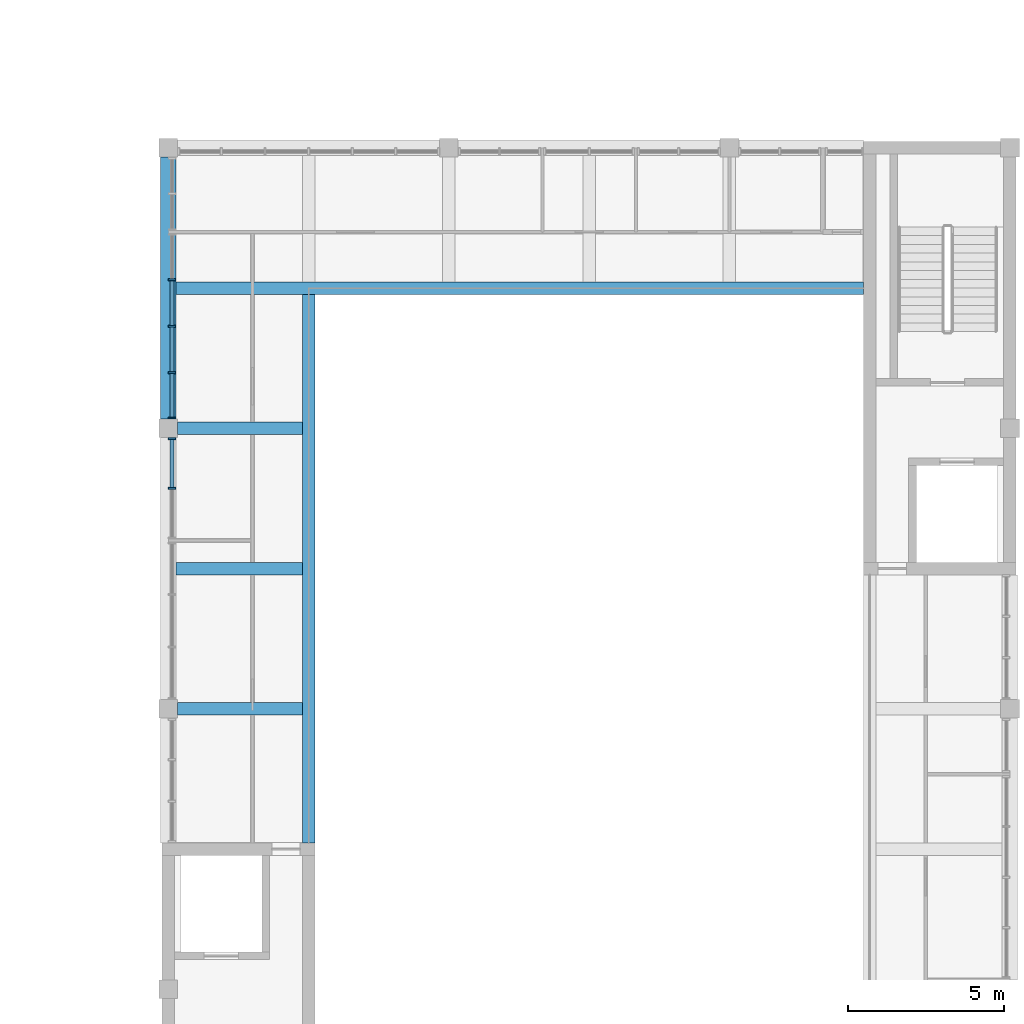
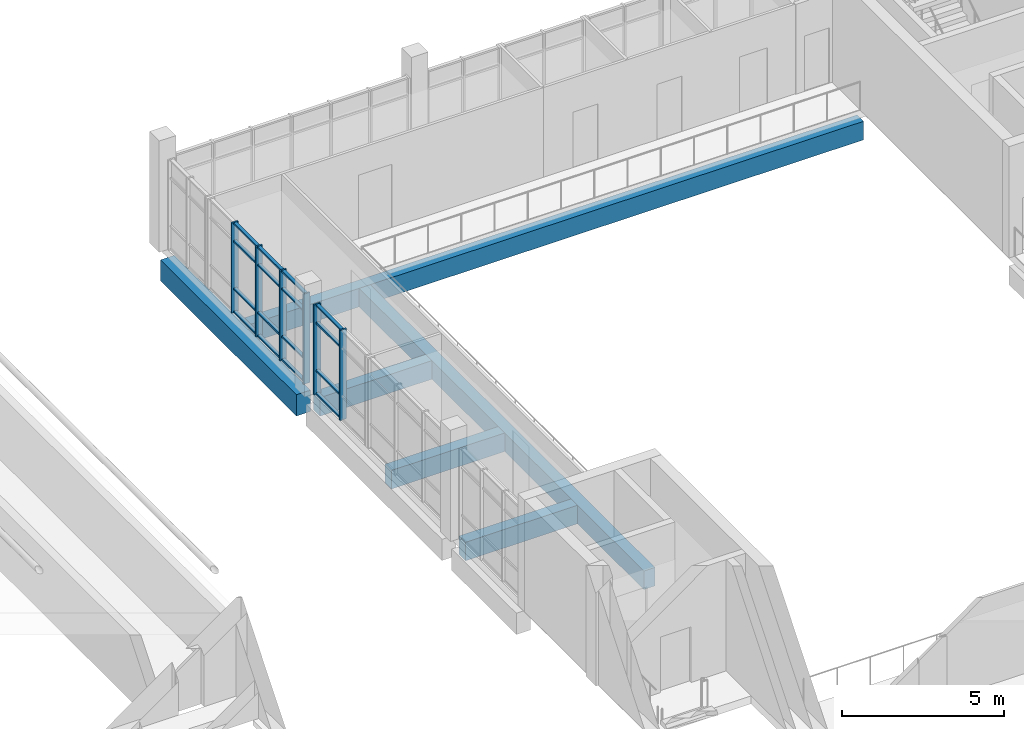
# One storey, part 5 of 92: 22 members, 6 beams, 2 elements without a shape of their own.
"""IFC4 building model written with IfcOpenShell, lengths in metres."""

from ifc_helpers import new_model, si_unit, direction, frame, origin, origin_2d, place, context, subcontext, project, spatial, rectangle, extrude, material, material_profile, profile_set, type_object, element, aggregate, save


model = new_model("IFC4")

# Units and contexts
model_context = context("Model", 3, precision=1e-05, world=origin(), true_north=direction((0.0, 1.0)))
body_context = subcontext(model_context, "Body", "Model", "MODEL_VIEW")
ifc_project = project(units=[si_unit("LENGTHUNIT", "METRE"), si_unit("AREAUNIT", "SQUARE_METRE"), si_unit("VOLUMEUNIT", "CUBIC_METRE"), si_unit("PLANEANGLEUNIT", "RADIAN"), si_unit("MASSUNIT", "GRAM", prefix="KILO")], contexts=[model_context])

# Site, building, storey
site_placement = place(None, origin())
site = spatial("IfcSite", under=ifc_project, at=site_placement, CompositionType="ELEMENT")
building_placement = place(site_placement, origin())
building = spatial("IfcBuilding", under=site, at=building_placement, Name="Merrow Basin Faculty of Sciences", CompositionType="ELEMENT")
storey_placement = place(building_placement, frame((0.0, 0.0, 4.5)))
storey = spatial("IfcBuildingStorey", under=building, at=storey_placement, Name="L01", CompositionType="ELEMENT", Elevation=4.5)

# Curtain wall, members
ifc_material_1 = material(Name="Aluminium alloy 6063", Category="aluminium")
curtain_wall_type = type_object("IfcCurtainWallType", Name="Atrium unitised curtain wall 240", PredefinedType="NOTDEFINED", material=ifc_material_1)
curtain_wall_1_placement = place(storey_placement, origin())
curtain_wall_1 = element("IfcCurtainWall", 1, at=curtain_wall_1_placement, inside=storey, type_object=curtain_wall_type, Name="W curtain wall L01 3", PredefinedType="NOTDEFINED")
ifc_material_2 = material(Name="Aluminium alloy 6063", Category="aluminium")
ifc_material_profile_1 = material_profile(ifc_material_2, rectangle(XDim=0.239990234375, YDim=0.06005859375, at=origin_2d()))
ifc_profile_set_1 = profile_set([ifc_material_profile_1], Name="Aluminium alloy 6063")
member_type_1 = type_object("IfcMemberType", Name="Aluminium mullion 60x240", PredefinedType="MULLION", material=ifc_profile_set_1)
member_1_placement = place(storey_placement, frame((45.1201171875, 25.074951171875, 0.0), z_axis=(0.0, 0.0, 1.0), x_axis=(-1.0, 0.0, 0.0)))
member_1 = element("IfcMember", 2, at=member_1_placement, type_object=member_type_1, Name="CW5 mullion 2", PredefinedType="MULLION", context=body_context, shape_type="SweptSolid", body=[
    extrude(rectangle(XDim=0.239990234375, YDim=0.06005859375, at=origin_2d()), origin(), (0.0, 0.0, 1.0), 3.39990234375),
])
member_2_placement = place(storey_placement, frame((45.1201171875, 26.669921875, 0.0), z_axis=(0.0, 0.0, 1.0), x_axis=(-1.0, 0.0, 0.0)))
member_2 = element("IfcMember", 3, at=member_2_placement, type_object=member_type_1, Name="CW5 mullion 3", PredefinedType="MULLION", context=body_context, shape_type="SweptSolid", body=[
    extrude(rectangle(XDim=0.239990234375, YDim=0.06005859375, at=origin_2d()), origin(), (0.0, 0.0, 1.0), 3.39990234375),
])

curtain_wall_2_placement = place(storey_placement, origin())
curtain_wall_2 = element("IfcCurtainWall", 4, at=curtain_wall_2_placement, inside=storey, type_object=curtain_wall_type, Name="W curtain wall L01 4", PredefinedType="NOTDEFINED")
member_3_placement = place(storey_placement, frame((45.1201171875, 27.330078125, 0.0), z_axis=(0.0, 0.0, 1.0), x_axis=(-1.0, 0.0, 0.0)))
member_3 = element("IfcMember", 5, at=member_3_placement, type_object=member_type_1, Name="CW5 mullion 1", PredefinedType="MULLION", context=body_context, shape_type="SweptSolid", body=[
    extrude(rectangle(XDim=0.239990234375, YDim=0.06005859375, at=origin_2d()), origin(), (0.0, 0.0, 1.0), 3.39990234375),
])
member_4_placement = place(storey_placement, frame((45.1201171875, 28.78759765625, 0.0), z_axis=(0.0, 0.0, 1.0), x_axis=(-1.0, 0.0, 0.0)))
member_4 = element("IfcMember", 6, at=member_4_placement, type_object=member_type_1, Name="CW5 mullion 2", PredefinedType="MULLION", context=body_context, shape_type="SweptSolid", body=[
    extrude(rectangle(XDim=0.239990234375, YDim=0.06005859375, at=origin_2d()), origin(), (0.0, 0.0, 1.0), 3.39990234375),
])
member_5_placement = place(storey_placement, frame((45.1201171875, 30.27490234375, 0.0), z_axis=(0.0, 0.0, 1.0), x_axis=(-1.0, 0.0, 0.0)))
member_5 = element("IfcMember", 7, at=member_5_placement, type_object=member_type_1, Name="CW5 mullion 3", PredefinedType="MULLION", context=body_context, shape_type="SweptSolid", body=[
    extrude(rectangle(XDim=0.239990234375, YDim=0.06005859375, at=origin_2d()), origin(), (0.0, 0.0, 1.0), 3.39990234375),
])
member_6_placement = place(storey_placement, frame((45.1201171875, 31.762451171875, 0.0), z_axis=(0.0, 0.0, 1.0), x_axis=(-1.0, 0.0, 0.0)))
member_6 = element("IfcMember", 8, at=member_6_placement, type_object=member_type_1, Name="CW5 mullion 4", PredefinedType="MULLION", context=body_context, shape_type="SweptSolid", body=[
    extrude(rectangle(XDim=0.239990234375, YDim=0.06005859375, at=origin_2d()), origin(), (0.0, 0.0, 1.0), 3.39990234375),
])

# Member
ifc_material_3 = material(Name="Aluminium alloy 6063", Category="aluminium")
ifc_material_profile_2 = material_profile(ifc_material_3, rectangle(XDim=0.1201171875, YDim=0.06005859375, at=origin_2d()))
ifc_profile_set_2 = profile_set([ifc_material_profile_2], Name="Aluminium alloy 6063")
member_type_2 = type_object("IfcMemberType", Name="Aluminium transom 60x120", PredefinedType="USERDEFINED", material=ifc_profile_set_2)
member_7_placement = place(storey_placement, frame((45.1201171875, 25.10498046875, 0.030029296875), z_axis=(0.0, 1.0, 0.0), x_axis=(-1.0, 0.0, 0.0)))
member_7 = element("IfcMember", 9, at=member_7_placement, type_object=member_type_2, Name="CW5 transom 2.1", ObjectType="TRANSOM", PredefinedType="USERDEFINED", context=body_context, shape_type="SweptSolid", body=[
    extrude(rectangle(XDim=0.1201171875, YDim=0.06005859375, at=origin_2d()), origin(), (0.0, 0.0, 1.0), 1.534912109375),
])

member_8_placement = place(storey_placement, frame((45.1201171875, 25.10498046875, 0.89990234375), z_axis=(0.0, 1.0, 0.0), x_axis=(-1.0, 0.0, 0.0)))
member_8 = element("IfcMember", 10, at=member_8_placement, type_object=member_type_2, Name="CW5 transom 2.2", ObjectType="TRANSOM", PredefinedType="USERDEFINED", context=body_context, shape_type="SweptSolid", body=[
    extrude(rectangle(XDim=0.1201171875, YDim=0.06005859375, at=origin_2d()), origin(), (0.0, 0.0, 1.0), 1.534912109375),
])

member_9_placement = place(storey_placement, frame((45.1201171875, 25.10498046875, 2.699951171875), z_axis=(0.0, 1.0, 0.0), x_axis=(-1.0, 0.0, 0.0)))
member_9 = element("IfcMember", 11, at=member_9_placement, type_object=member_type_2, Name="CW5 transom 2.3", ObjectType="TRANSOM", PredefinedType="USERDEFINED", context=body_context, shape_type="SweptSolid", body=[
    extrude(rectangle(XDim=0.1201171875, YDim=0.06005859375, at=origin_2d()), origin(), (0.0, 0.0, 1.0), 1.534912109375),
])

member_10_placement = place(storey_placement, frame((45.1201171875, 25.10498046875, 3.3701171875), z_axis=(0.0, 1.0, 0.0), x_axis=(-1.0, 0.0, 0.0)))
member_10 = element("IfcMember", 12, at=member_10_placement, type_object=member_type_2, Name="CW5 transom 2.4", ObjectType="TRANSOM", PredefinedType="USERDEFINED", context=body_context, shape_type="SweptSolid", body=[
    extrude(rectangle(XDim=0.1201171875, YDim=0.06005859375, at=origin_2d()), origin(), (0.0, 0.0, 1.0), 1.534912109375),
])

aggregate(curtain_wall_1, [member_1, member_2, member_7, member_8, member_9, member_10])

member_11_placement = place(storey_placement, frame((45.1201171875, 27.360107421875, 0.030029296875), z_axis=(0.0, 1.0, 0.0), x_axis=(-1.0, 0.0, 0.0)))
member_11 = element("IfcMember", 13, at=member_11_placement, type_object=member_type_2, Name="CW5 transom 1.1", ObjectType="TRANSOM", PredefinedType="USERDEFINED", context=body_context, shape_type="SweptSolid", body=[
    extrude(rectangle(XDim=0.1201171875, YDim=0.06005859375, at=origin_2d()), origin(), (0.0, 0.0, 1.0), 1.3974609375),
])

member_12_placement = place(storey_placement, frame((45.1201171875, 27.360107421875, 0.89990234375), z_axis=(0.0, 1.0, 0.0), x_axis=(-1.0, 0.0, 0.0)))
member_12 = element("IfcMember", 14, at=member_12_placement, type_object=member_type_2, Name="CW5 transom 1.2", ObjectType="TRANSOM", PredefinedType="USERDEFINED", context=body_context, shape_type="SweptSolid", body=[
    extrude(rectangle(XDim=0.1201171875, YDim=0.06005859375, at=origin_2d()), origin(), (0.0, 0.0, 1.0), 1.3974609375),
])

member_13_placement = place(storey_placement, frame((45.1201171875, 27.360107421875, 2.699951171875), z_axis=(0.0, 1.0, 0.0), x_axis=(-1.0, 0.0, 0.0)))
member_13 = element("IfcMember", 15, at=member_13_placement, type_object=member_type_2, Name="CW5 transom 1.3", ObjectType="TRANSOM", PredefinedType="USERDEFINED", context=body_context, shape_type="SweptSolid", body=[
    extrude(rectangle(XDim=0.1201171875, YDim=0.06005859375, at=origin_2d()), origin(), (0.0, 0.0, 1.0), 1.3974609375),
])

member_14_placement = place(storey_placement, frame((45.1201171875, 27.360107421875, 3.3701171875), z_axis=(0.0, 1.0, 0.0), x_axis=(-1.0, 0.0, 0.0)))
member_14 = element("IfcMember", 16, at=member_14_placement, type_object=member_type_2, Name="CW5 transom 1.4", ObjectType="TRANSOM", PredefinedType="USERDEFINED", context=body_context, shape_type="SweptSolid", body=[
    extrude(rectangle(XDim=0.1201171875, YDim=0.06005859375, at=origin_2d()), origin(), (0.0, 0.0, 1.0), 1.3974609375),
])

member_15_placement = place(storey_placement, frame((45.1201171875, 28.8173828125, 0.030029296875), z_axis=(0.0, 1.0, 0.0), x_axis=(-1.0, 0.0, 0.0)))
member_15 = element("IfcMember", 17, at=member_15_placement, type_object=member_type_2, Name="CW5 transom 2.1", ObjectType="TRANSOM", PredefinedType="USERDEFINED", context=body_context, shape_type="SweptSolid", body=[
    extrude(rectangle(XDim=0.1201171875, YDim=0.06005859375, at=origin_2d()), origin(), (0.0, 0.0, 1.0), 1.427734375),
])

member_16_placement = place(storey_placement, frame((45.1201171875, 28.8173828125, 0.89990234375), z_axis=(0.0, 1.0, 0.0), x_axis=(-1.0, 0.0, 0.0)))
member_16 = element("IfcMember", 18, at=member_16_placement, type_object=member_type_2, Name="CW5 transom 2.2", ObjectType="TRANSOM", PredefinedType="USERDEFINED", context=body_context, shape_type="SweptSolid", body=[
    extrude(rectangle(XDim=0.1201171875, YDim=0.06005859375, at=origin_2d()), origin(), (0.0, 0.0, 1.0), 1.427734375),
])

member_17_placement = place(storey_placement, frame((45.1201171875, 28.8173828125, 2.699951171875), z_axis=(0.0, 1.0, 0.0), x_axis=(-1.0, 0.0, 0.0)))
member_17 = element("IfcMember", 19, at=member_17_placement, type_object=member_type_2, Name="CW5 transom 2.3", ObjectType="TRANSOM", PredefinedType="USERDEFINED", context=body_context, shape_type="SweptSolid", body=[
    extrude(rectangle(XDim=0.1201171875, YDim=0.06005859375, at=origin_2d()), origin(), (0.0, 0.0, 1.0), 1.427734375),
])

member_18_placement = place(storey_placement, frame((45.1201171875, 28.8173828125, 3.3701171875), z_axis=(0.0, 1.0, 0.0), x_axis=(-1.0, 0.0, 0.0)))
member_18 = element("IfcMember", 20, at=member_18_placement, type_object=member_type_2, Name="CW5 transom 2.4", ObjectType="TRANSOM", PredefinedType="USERDEFINED", context=body_context, shape_type="SweptSolid", body=[
    extrude(rectangle(XDim=0.1201171875, YDim=0.06005859375, at=origin_2d()), origin(), (0.0, 0.0, 1.0), 1.427734375),
])

member_19_placement = place(storey_placement, frame((45.1201171875, 30.304931640625, 0.030029296875), z_axis=(0.0, 1.0, 0.0), x_axis=(-1.0, 0.0, 0.0)))
member_19 = element("IfcMember", 21, at=member_19_placement, type_object=member_type_2, Name="CW5 transom 3.1", ObjectType="TRANSOM", PredefinedType="USERDEFINED", context=body_context, shape_type="SweptSolid", body=[
    extrude(rectangle(XDim=0.1201171875, YDim=0.06005859375, at=origin_2d()), origin(), (0.0, 0.0, 1.0), 1.427490234375),
])

member_20_placement = place(storey_placement, frame((45.1201171875, 30.304931640625, 0.89990234375), z_axis=(0.0, 1.0, 0.0), x_axis=(-1.0, 0.0, 0.0)))
member_20 = element("IfcMember", 22, at=member_20_placement, type_object=member_type_2, Name="CW5 transom 3.2", ObjectType="TRANSOM", PredefinedType="USERDEFINED", context=body_context, shape_type="SweptSolid", body=[
    extrude(rectangle(XDim=0.1201171875, YDim=0.06005859375, at=origin_2d()), origin(), (0.0, 0.0, 1.0), 1.427490234375),
])

member_21_placement = place(storey_placement, frame((45.1201171875, 30.304931640625, 2.699951171875), z_axis=(0.0, 1.0, 0.0), x_axis=(-1.0, 0.0, 0.0)))
member_21 = element("IfcMember", 23, at=member_21_placement, type_object=member_type_2, Name="CW5 transom 3.3", ObjectType="TRANSOM", PredefinedType="USERDEFINED", context=body_context, shape_type="SweptSolid", body=[
    extrude(rectangle(XDim=0.1201171875, YDim=0.06005859375, at=origin_2d()), origin(), (0.0, 0.0, 1.0), 1.427490234375),
])

member_22_placement = place(storey_placement, frame((45.1201171875, 30.304931640625, 3.3701171875), z_axis=(0.0, 1.0, 0.0), x_axis=(-1.0, 0.0, 0.0)))
member_22 = element("IfcMember", 24, at=member_22_placement, type_object=member_type_2, Name="CW5 transom 3.4", ObjectType="TRANSOM", PredefinedType="USERDEFINED", context=body_context, shape_type="SweptSolid", body=[
    extrude(rectangle(XDim=0.1201171875, YDim=0.06005859375, at=origin_2d()), origin(), (0.0, 0.0, 1.0), 1.427490234375),
])

aggregate(curtain_wall_2, [member_3, member_4, member_5, member_6, member_11, member_12, member_13, member_14, member_15, member_16, member_17, member_18, member_19, member_20, member_21, member_22])

# Beams
ifc_material_4 = material(Name="Concrete C40/50", Category="concrete")
ifc_material_profile_3 = material_profile(ifc_material_4, rectangle(XDim=0.5, YDim=0.800048828125, at=origin_2d()))
ifc_profile_set_3 = profile_set([ifc_material_profile_3], Name="Concrete C40/50")
beam_type_1 = type_object("IfcBeamType", Name="Beam RC500x800 C40/50", PredefinedType="BEAM", material=ifc_profile_set_3)
beam_1_placement = place(storey_placement, frame((45.0, 27.300048828125, -0.699951171875), z_axis=(0.0, 1.0, 0.0), x_axis=(-1.0, 0.0, 0.0)))
element("IfcBeam", 25, at=beam_1_placement, inside=storey, type_object=beam_type_1, Name="B4 L01 009", PredefinedType="BEAM", context=body_context, shape_type="SweptSolid", body=[
    extrude(rectangle(XDim=0.5, YDim=0.800048828125, at=origin_2d()), origin(), (0.0, 0.0, 1.0), 8.39990234375),
])
ifc_material_5 = material(Name="Concrete C40/50", Category="concrete")
ifc_material_profile_4 = material_profile(ifc_material_5, rectangle(XDim=0.39990234375, YDim=0.699951171875, at=origin_2d()))
ifc_profile_set_4 = profile_set([ifc_material_profile_4], Name="Concrete C40/50")
beam_type_2 = type_object("IfcBeamType", Name="Gallery edge beam RC400x700 C40/50", PredefinedType="BEAM", material=ifc_profile_set_4)
beam_2_placement = place(storey_placement, frame((45.25, 31.5, -0.64990234375), z_axis=(1.0, 0.0, 0.0), x_axis=(0.0, 1.0, 0.0)))
element("IfcBeam", 26, at=beam_2_placement, inside=storey, type_object=beam_type_2, Name="GB1 L01 014", PredefinedType="BEAM", context=body_context, shape_type="SweptSolid", body=[
    extrude(rectangle(XDim=0.39990234375, YDim=0.699951171875, at=origin_2d()), origin(), (0.0, 0.0, 1.0), 22.050048828125),
])
beam_3_placement = place(storey_placement, frame((49.5, 13.699951171875, -0.64990234375), z_axis=(0.0, 1.0, 0.0), x_axis=(-1.0, 0.0, 0.0)))
element("IfcBeam", 27, at=beam_3_placement, inside=storey, type_object=beam_type_2, Name="GB1 L01 015", PredefinedType="BEAM", context=body_context, shape_type="SweptSolid", body=[
    extrude(rectangle(XDim=0.39990234375, YDim=0.699951171875, at=origin_2d()), origin(), (0.0, 0.0, 1.0), 17.60009765625),
])
beam_4_placement = place(storey_placement, frame((45.25, 22.5, -0.64990234375), z_axis=(1.0, 0.0, 0.0), x_axis=(0.0, 1.0, 0.0)))
element("IfcBeam", 28, at=beam_4_placement, inside=storey, type_object=beam_type_2, Name="GB1 L01 026", PredefinedType="BEAM", context=body_context, shape_type="SweptSolid", body=[
    extrude(rectangle(XDim=0.39990234375, YDim=0.699951171875, at=origin_2d()), origin(), (0.0, 0.0, 1.0), 4.050048828125),
])
for number, where, z_axis, x_axis, name in (
    (29, (45.300048828125, 18.0, -0.64990234375), (1.0, 0.0, 0.0), (0.0, 1.0, 0.0), "GB1 L01 028"),
    (30, (45.300048828125, 27.0, -0.64990234375), (1.0, 0.0, 0.0), (0.0, 1.0, 0.0), "GB1 L01 030"),
):
    element("IfcBeam", number, at=place(storey_placement, frame(where, z_axis=z_axis, x_axis=x_axis)), inside=storey, type_object=beam_type_2, Name=name, PredefinedType="BEAM", context=body_context, shape_type="SweptSolid", body=[
        extrude(rectangle(XDim=0.39990234375, YDim=0.699951171875, at=origin_2d()), origin(), (0.0, 0.0, 1.0), 4.0),
    ])

save(model, "model.ifc")
